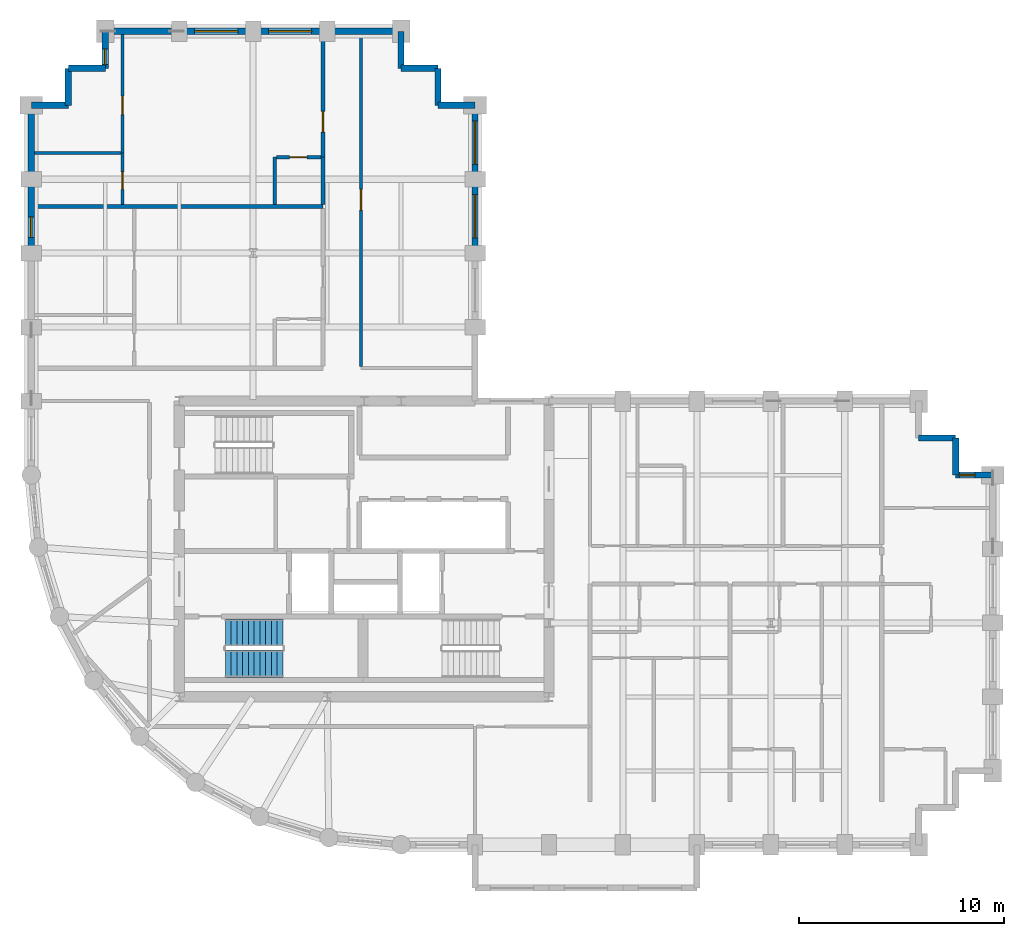
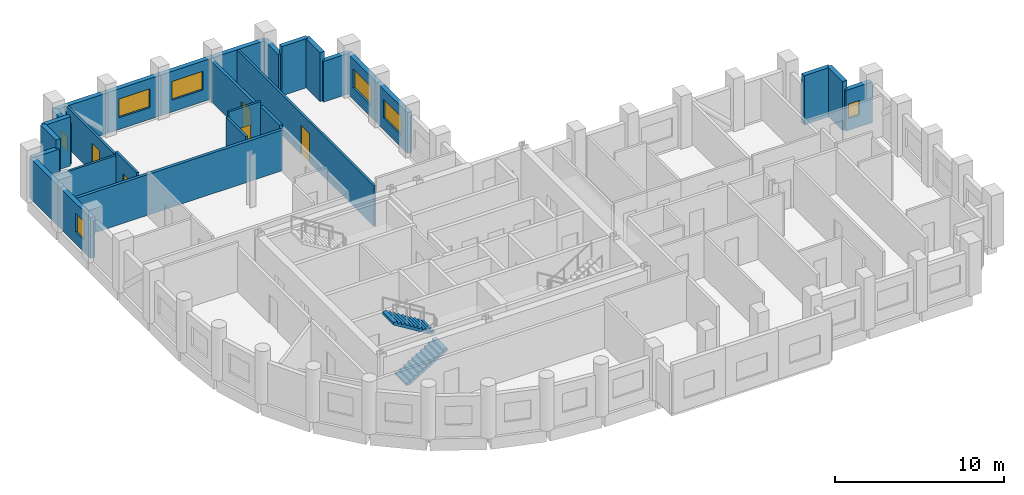
# One storey, part 7 of 9: 28 walls, 7 windows, 5 doors, 2 stair flights, 12 openings, 1 element without a shape of its own.
"""IFC4 building model written with IfcOpenShell, lengths in metres."""

from ifc_helpers import new_model, si_unit, direction, frame, frame_2d, origin, place, context, subcontext, project, spatial, polyline, rectangle, outline, extrude, material, layer, layer_set, type_object, element, fill, aggregate, save


model = new_model("IFC4")

# Units and contexts
model_context = context("Model", 3, precision=1e-05, world=origin(), true_north=direction((0.0, 1.0)))
body_context = subcontext(model_context, "Body", "Model", "MODEL_VIEW")
ifc_project = project(units=[si_unit("LENGTHUNIT", "METRE"), si_unit("AREAUNIT", "SQUARE_METRE"), si_unit("VOLUMEUNIT", "CUBIC_METRE"), si_unit("PLANEANGLEUNIT", "RADIAN"), si_unit("MASSUNIT", "GRAM", prefix="KILO")], contexts=[model_context])

# Site, building, storey
site_placement = place(None, origin())
site = spatial("IfcSite", under=ifc_project, at=site_placement, CompositionType="ELEMENT")
building_placement = place(site_placement, origin())
building = spatial("IfcBuilding", under=site, at=building_placement, Name="Solnavia Interchange Tower", CompositionType="ELEMENT")
storey_placement = place(building_placement, frame((0.0, 0.0, 139.0)))
storey = spatial("IfcBuildingStorey", under=building, at=storey_placement, Name="L34", CompositionType="ELEMENT", Elevation=139.0)

# Walls
ifc_material_1 = material(Name="Gypsum Acoustic Twin-Stud & Mineral Wool", Category="gypsum")
ifc_layer_1 = layer(ifc_material_1, 0.199951171875)
ifc_layer_set_1 = layer_set([ifc_layer_1], Name="Gypsum Acoustic Twin-Stud & Mineral Wool")
wall_type_1 = type_object("IfcWallType", Name="Wall-ApartmentParty-200", PredefinedType="PARTITIONING", material=ifc_layer_set_1)
wall_1_placement = place(storey_placement, frame((7.35400390625, 34.669921875, 0.0), z_axis=(0.0, 0.0, 1.0), x_axis=(1.0, 0.0, 0.0)))
element("IfcWall", 1, at=wall_1_placement, inside=storey, type_object=wall_type_1, Name="PTW-L34-45 Interior partition wall", PredefinedType="PARTITIONING", context=body_context, shape_type="SweptSolid", body=[
    extrude(rectangle(XDim=14.0458984375, YDim=0.199951171875, at=frame_2d((7.02294921875, 0.0))), origin(), (0.0, 0.0, 1.0), 2.929931640625),
])
wall_2_placement = place(storey_placement, frame((21.39990234375, 34.77392578125, 0.0), z_axis=(0.0, 0.0, 1.0), x_axis=(0.0, 1.0, 0.0)))
element("IfcWall", 2, at=wall_2_placement, inside=storey, type_object=wall_type_1, Name="PTW-L34-53 Interior partition wall", PredefinedType="PARTITIONING", context=body_context, shape_type="SweptSolid", body=[
    extrude(rectangle(XDim=2.296142578125, YDim=0.199951171875, at=frame_2d((1.14794921875, 0.0))), origin(), (0.0, 0.0, 1.0), 3.169921875),
])

# Wall, opening, door
wall_3_placement = place(storey_placement, frame((21.39990234375, 37.070068359375, 0.0), z_axis=(0.0, 0.0, 1.0), x_axis=(0.0, 1.0, 0.0)))
wall_3 = element("IfcWall", 3, at=wall_3_placement, inside=storey, type_object=wall_type_1, Name="PTW-L34-56 Interior partition wall", PredefinedType="PARTITIONING", context=body_context, shape_type="SweptSolid", body=[
    extrude(rectangle(XDim=5.975830078125, YDim=0.199951171875, at=frame_2d((2.98779296875, 0.0))), origin(), (0.0, 0.0, 1.0), 2.929931640625),
])
opening_1_placement = place(wall_3_placement, frame((1.22607421875, 0.0, 0.0)))
opening_1 = element("IfcOpeningElement", 4, at=opening_1_placement, cuts=wall_3, Name="Opening DR-06", PredefinedType="OPENING", context=body_context, shape_type="SweptSolid", body=[
    extrude(rectangle(XDim=1.0, YDim=2.10009765625, at=frame_2d((0.5, 1.050048828125))), frame((0.0, 0.10986328125, 0.0), z_axis=(0.0, -1.0, 0.0), x_axis=(1.0, 0.0, 0.0)), (0.0, 0.0, 1.0), 0.219970703125),
])
ifc_material_2 = material(Name="Engineered Timber Acoustic Fire Door", Category="wood")
door_type_1 = type_object("IfcDoorType", Name="Door-FlatEntry-1000x2100", OperationType="SINGLE_SWING_LEFT", PredefinedType="DOOR", material=ifc_material_2)
door_1_placement = place(opening_1_placement, origin())
door_1 = element("IfcDoor", 5, at=door_1_placement, inside=storey, type_object=door_type_1, Name="DR-L34-26 Interior room door", OperationType="SINGLE_SWING_LEFT", OverallHeight=2.10009765625, OverallWidth=1.0, PredefinedType="DOOR", context=body_context, shape_type="SweptSolid", body=[
    extrude(rectangle(XDim=1.0, YDim=2.10009765625, at=frame_2d((0.5, 1.050048828125))), frame((0.0, 0.02490234375, 0.0), z_axis=(0.0, -1.0, 0.0), x_axis=(1.0, 0.0, 0.0)), (0.0, 0.0, 1.0), 0.050048828125),
])
fill(opening_1, door_1)

# Wall, opening, window
ifc_material_3 = material(Name="Concrete C40/50", Category="concrete")
ifc_layer_2 = layer(ifc_material_3, 0.300048828125)
ifc_layer_set_2 = layer_set([ifc_layer_2], Name="Concrete C40/50")
wall_type_2 = type_object("IfcWallType", Name="Wall-ExtSpandrel-300", PredefinedType="STANDARD", material=ifc_layer_set_2)
wall_4_placement = place(storey_placement, frame((52.199951171875, 21.60009765625, 0.0), z_axis=(0.0, 0.0, 1.0), x_axis=(1.0, 0.0, 0.0)))
wall_4 = element("IfcWall", 6, at=wall_4_placement, inside=storey, type_object=wall_type_2, Name="EXW-L34-18 Exterior precast spandrel wall", PredefinedType="STANDARD", context=body_context, shape_type="SweptSolid", body=[
    extrude(rectangle(XDim=1.800048828125, YDim=0.300048828125, at=frame_2d((0.89990234375, 0.0))), origin(), (0.0, 0.0, 1.0), 2.929931640625),
])
opening_2_placement = place(wall_4_placement, frame((0.179931640625, 0.0, 0.85009765625)))
opening_2 = element("IfcOpeningElement", 7, at=opening_2_placement, cuts=wall_4, Name="Opening WIN-08", PredefinedType="OPENING", context=body_context, shape_type="SweptSolid", body=[
    extrude(rectangle(XDim=0.75, YDim=1.050048828125, at=frame_2d((0.375, 0.52490234375))), frame((0.0, 0.16015625, 0.0), z_axis=(0.0, -1.0, 0.0), x_axis=(1.0, 0.0, 0.0)), (0.0, 0.0, 1.0), 0.320068359375),
])
ifc_material_4 = material(Name="Thermal-Break Aluminium & Low-E Glass", Category="aluminium")
window_type_1 = type_object("IfcWindowType", Name="Window-Bedroom-750x1050", PartitioningType="SINGLE_PANEL", PredefinedType="WINDOW", material=ifc_material_4)
window_1_placement = place(opening_2_placement, origin())
window_1 = element("IfcWindow", 8, at=window_1_placement, inside=storey, type_object=window_type_1, Name="WIN-L34-DW01 Dwelling bedroom window", OverallHeight=1.050048828125, OverallWidth=0.75, PartitioningType="SINGLE_PANEL", PredefinedType="WINDOW", context=body_context, shape_type="SweptSolid", body=[
    extrude(rectangle(XDim=0.75, YDim=1.050048828125, at=frame_2d((0.375, 0.52490234375))), frame((0.0, 0.030029296875, 0.0), z_axis=(0.0, -1.0, 0.0), x_axis=(1.0, 0.0, 0.0)), (0.0, 0.0, 1.0), 0.06005859375),
])
fill(opening_2, window_1)

# Walls
wall_5_placement = place(storey_placement, frame((52.199951171875, 23.39990234375, 0.0), z_axis=(0.0, 0.0, 1.0), x_axis=(0.0, -1.0, 0.0)))
element("IfcWall", 9, at=wall_5_placement, inside=storey, type_object=wall_type_2, Name="EXW-L34-19 Exterior precast spandrel wall", PredefinedType="STANDARD", context=body_context, shape_type="SweptSolid", body=[
    extrude(rectangle(XDim=1.7998046875, YDim=0.300048828125, at=frame_2d((0.89990234375, 0.0))), origin(), (0.0, 0.0, 1.0), 3.534912109375),
])
wall_6_placement = place(storey_placement, frame((50.39990234375, 23.39990234375, 0.0), z_axis=(0.0, 0.0, 1.0), x_axis=(1.0, 0.0, 0.0)))
element("IfcWall", 10, at=wall_6_placement, inside=storey, type_object=wall_type_2, Name="EXW-L34-20 Exterior precast spandrel wall", PredefinedType="STANDARD", context=body_context, shape_type="SweptSolid", body=[
    extrude(rectangle(XDim=1.800048828125, YDim=0.300048828125, at=frame_2d((0.89990234375, 0.0))), origin(), (0.0, 0.0, 1.0), 3.534912109375),
])

# Wall, opening, window
wall_7_placement = place(storey_placement, frame((28.800048828125, 36.0, 0.0), z_axis=(0.0, 0.0, 1.0), x_axis=(0.0, -1.0, 0.0)))
wall_7 = element("IfcWall", 11, at=wall_7_placement, inside=storey, type_object=wall_type_2, Name="EXW-L34-30 Exterior precast spandrel wall", PredefinedType="STANDARD", context=body_context, shape_type="SweptSolid", body=[
    extrude(rectangle(XDim=3.60009765625, YDim=0.300048828125, at=frame_2d((1.800048828125, 0.0))), origin(), (0.0, 0.0, 1.0), 2.929931640625),
])
opening_3_placement = place(wall_7_placement, frame((0.75, 0.0, 0.85009765625)))
opening_3 = element("IfcOpeningElement", 12, at=opening_3_placement, cuts=wall_7, Name="Opening WIN-01", PredefinedType="OPENING", context=body_context, shape_type="SweptSolid", body=[
    extrude(rectangle(XDim=2.10009765625, YDim=1.35009765625, at=frame_2d((1.050048828125, 0.675048828125))), frame((0.0, 0.16015625, 0.0), z_axis=(0.0, -1.0, 0.0), x_axis=(1.0, 0.0, 0.0)), (0.0, 0.0, 1.0), 0.320068359375),
])
window_type_2 = type_object("IfcWindowType", Name="Window-Ribbon-2100x1350", PartitioningType="SINGLE_PANEL", PredefinedType="WINDOW", material=ifc_material_4)
window_2_placement = place(opening_3_placement, origin())
window_2 = element("IfcWindow", 13, at=window_2_placement, inside=storey, type_object=window_type_2, Name="WIN-L34-30 Facade ribbon window", OverallHeight=1.35009765625, OverallWidth=2.10009765625, PartitioningType="SINGLE_PANEL", PredefinedType="WINDOW", context=body_context, shape_type="SweptSolid", body=[
    extrude(rectangle(XDim=2.10009765625, YDim=1.35009765625, at=frame_2d((1.050048828125, 0.675048828125))), frame((0.0, 0.030029296875, 0.0), z_axis=(0.0, -1.0, 0.0), x_axis=(1.0, 0.0, 0.0)), (0.0, 0.0, 1.0), 0.06005859375),
])
fill(opening_3, window_2)

wall_8_placement = place(storey_placement, frame((28.800048828125, 39.60009765625, 0.0), z_axis=(0.0, 0.0, 1.0), x_axis=(0.0, -1.0, 0.0)))
wall_8 = element("IfcWall", 14, at=wall_8_placement, inside=storey, type_object=wall_type_2, Name="EXW-L34-31 Exterior precast spandrel wall", PredefinedType="STANDARD", context=body_context, shape_type="SweptSolid", body=[
    extrude(rectangle(XDim=3.60009765625, YDim=0.300048828125, at=frame_2d((1.800048828125, 0.0))), origin(), (0.0, 0.0, 1.0), 2.929931640625),
])
opening_4_placement = place(wall_8_placement, frame((0.77490234375, 0.0, 0.85009765625)))
opening_4 = element("IfcOpeningElement", 15, at=opening_4_placement, cuts=wall_8, Name="Opening WIN-01", PredefinedType="OPENING", context=body_context, shape_type="SweptSolid", body=[
    extrude(rectangle(XDim=2.10009765625, YDim=1.35009765625, at=frame_2d((1.050048828125, 0.675048828125))), frame((0.0, 0.16015625, 0.0), z_axis=(0.0, -1.0, 0.0), x_axis=(1.0, 0.0, 0.0)), (0.0, 0.0, 1.0), 0.320068359375),
])
window_3_placement = place(opening_4_placement, origin())
window_3 = element("IfcWindow", 16, at=window_3_placement, inside=storey, type_object=window_type_2, Name="WIN-L34-31 Facade ribbon window", OverallHeight=1.35009765625, OverallWidth=2.10009765625, PartitioningType="SINGLE_PANEL", PredefinedType="WINDOW", context=body_context, shape_type="SweptSolid", body=[
    extrude(rectangle(XDim=2.10009765625, YDim=1.35009765625, at=frame_2d((1.050048828125, 0.675048828125))), frame((0.0, 0.030029296875, 0.0), z_axis=(0.0, -1.0, 0.0), x_axis=(1.0, 0.0, 0.0)), (0.0, 0.0, 1.0), 0.06005859375),
])
fill(opening_4, window_3)

# Walls
wall_9_placement = place(storey_placement, frame((27.0, 39.60009765625, 0.0), z_axis=(0.0, 0.0, 1.0), x_axis=(1.0, 0.0, 0.0)))
element("IfcWall", 17, at=wall_9_placement, inside=storey, type_object=wall_type_2, Name="EXW-L34-32 Exterior precast spandrel wall", PredefinedType="STANDARD", context=body_context, shape_type="SweptSolid", body=[
    extrude(rectangle(XDim=1.800048828125, YDim=0.300048828125, at=frame_2d((0.89990234375, 0.0))), origin(), (0.0, 0.0, 1.0), 2.929931640625),
])
wall_10_placement = place(storey_placement, frame((27.0, 39.60009765625, 0.0), z_axis=(0.0, 0.0, 1.0), x_axis=(0.0, 1.0, 0.0)))
element("IfcWall", 18, at=wall_10_placement, inside=storey, type_object=wall_type_2, Name="EXW-L34-33 Exterior precast spandrel wall", PredefinedType="STANDARD", context=body_context, shape_type="SweptSolid", body=[
    extrude(rectangle(XDim=1.7998046875, YDim=0.300048828125, at=frame_2d((0.89990234375, 0.0))), origin(), (0.0, 0.0, 1.0), 3.534912109375),
])
wall_11_placement = place(storey_placement, frame((25.199951171875, 41.39990234375, 0.0), z_axis=(0.0, 0.0, 1.0), x_axis=(1.0, 0.0, 0.0)))
element("IfcWall", 19, at=wall_11_placement, inside=storey, type_object=wall_type_2, Name="EXW-L34-34 Exterior precast spandrel wall", PredefinedType="STANDARD", context=body_context, shape_type="SweptSolid", body=[
    extrude(rectangle(XDim=1.800048828125, YDim=0.300048828125, at=frame_2d((0.89990234375, 0.0))), origin(), (0.0, 0.0, 1.0), 3.534912109375),
])
wall_12_placement = place(storey_placement, frame((25.199951171875, 41.39990234375, 0.0), z_axis=(0.0, 0.0, 1.0), x_axis=(0.0, 1.0, 0.0)))
element("IfcWall", 20, at=wall_12_placement, inside=storey, type_object=wall_type_2, Name="EXW-L34-35 Exterior precast spandrel wall", PredefinedType="STANDARD", context=body_context, shape_type="SweptSolid", body=[
    extrude(rectangle(XDim=1.800048828125, YDim=0.300048828125, at=frame_2d((0.89990234375, 0.0))), origin(), (0.0, 0.0, 1.0), 2.929931640625),
])
wall_13_placement = place(storey_placement, frame((21.60009765625, 43.199951171875, 0.0), z_axis=(0.0, 0.0, 1.0), x_axis=(1.0, 0.0, 0.0)))
element("IfcWall", 21, at=wall_13_placement, inside=storey, type_object=wall_type_2, Name="EXW-L34-36 Exterior precast spandrel wall", PredefinedType="STANDARD", context=body_context, shape_type="SweptSolid", body=[
    extrude(rectangle(XDim=3.599853515625, YDim=0.300048828125, at=frame_2d((1.7998046875, 0.0))), origin(), (0.0, 0.0, 1.0), 2.929931640625),
])

# Wall, opening, window
wall_14_placement = place(storey_placement, frame((18.0, 43.199951171875, 0.0), z_axis=(0.0, 0.0, 1.0), x_axis=(1.0, 0.0, 0.0)))
wall_14 = element("IfcWall", 22, at=wall_14_placement, inside=storey, type_object=wall_type_2, Name="EXW-L34-37 Exterior precast spandrel wall", PredefinedType="STANDARD", context=body_context, shape_type="SweptSolid", body=[
    extrude(rectangle(XDim=3.60009765625, YDim=0.300048828125, at=frame_2d((1.800048828125, 0.0))), origin(), (0.0, 0.0, 1.0), 2.929931640625),
])
opening_5_placement = place(wall_14_placement, frame((0.75, 0.0, 0.85009765625)))
opening_5 = element("IfcOpeningElement", 23, at=opening_5_placement, cuts=wall_14, Name="Opening WIN-01", PredefinedType="OPENING", context=body_context, shape_type="SweptSolid", body=[
    extrude(rectangle(XDim=2.10009765625, YDim=1.35009765625, at=frame_2d((1.050048828125, 0.675048828125))), frame((0.0, 0.16015625, 0.0), z_axis=(0.0, -1.0, 0.0), x_axis=(1.0, 0.0, 0.0)), (0.0, 0.0, 1.0), 0.320068359375),
])
window_4_placement = place(opening_5_placement, origin())
window_4 = element("IfcWindow", 24, at=window_4_placement, inside=storey, type_object=window_type_2, Name="WIN-L34-37 Facade ribbon window", OverallHeight=1.35009765625, OverallWidth=2.10009765625, PartitioningType="SINGLE_PANEL", PredefinedType="WINDOW", context=body_context, shape_type="SweptSolid", body=[
    extrude(rectangle(XDim=2.10009765625, YDim=1.35009765625, at=frame_2d((1.050048828125, 0.675048828125))), frame((0.0, 0.030029296875, 0.0), z_axis=(0.0, -1.0, 0.0), x_axis=(1.0, 0.0, 0.0)), (0.0, 0.0, 1.0), 0.06005859375),
])
fill(opening_5, window_4)

wall_15_placement = place(storey_placement, frame((14.39990234375, 43.199951171875, 0.0), z_axis=(0.0, 0.0, 1.0), x_axis=(1.0, 0.0, 0.0)))
wall_15 = element("IfcWall", 25, at=wall_15_placement, inside=storey, type_object=wall_type_2, Name="EXW-L34-38 Exterior precast spandrel wall", PredefinedType="STANDARD", context=body_context, shape_type="SweptSolid", body=[
    extrude(rectangle(XDim=3.60009765625, YDim=0.300048828125, at=frame_2d((1.800048828125, 0.0))), origin(), (0.0, 0.0, 1.0), 2.929931640625),
])
opening_6_placement = place(wall_15_placement, frame((0.75, 0.0, 0.85009765625)))
opening_6 = element("IfcOpeningElement", 26, at=opening_6_placement, cuts=wall_15, Name="Opening WIN-01", PredefinedType="OPENING", context=body_context, shape_type="SweptSolid", body=[
    extrude(rectangle(XDim=2.10009765625, YDim=1.35009765625, at=frame_2d((1.050048828125, 0.675048828125))), frame((0.0, 0.16015625, 0.0), z_axis=(0.0, -1.0, 0.0), x_axis=(1.0, 0.0, 0.0)), (0.0, 0.0, 1.0), 0.320068359375),
])
window_5_placement = place(opening_6_placement, origin())
window_5 = element("IfcWindow", 27, at=window_5_placement, inside=storey, type_object=window_type_2, Name="WIN-L34-38 Facade ribbon window", OverallHeight=1.35009765625, OverallWidth=2.10009765625, PartitioningType="SINGLE_PANEL", PredefinedType="WINDOW", context=body_context, shape_type="SweptSolid", body=[
    extrude(rectangle(XDim=2.10009765625, YDim=1.35009765625, at=frame_2d((1.050048828125, 0.675048828125))), frame((0.0, 0.030029296875, 0.0), z_axis=(0.0, -1.0, 0.0), x_axis=(1.0, 0.0, 0.0)), (0.0, 0.0, 1.0), 0.06005859375),
])
fill(opening_6, window_5)

# Wall
wall_16_placement = place(storey_placement, frame((10.800048828125, 43.199951171875, 0.0), z_axis=(0.0, 0.0, 1.0), x_axis=(1.0, 0.0, 0.0)))
element("IfcWall", 28, at=wall_16_placement, inside=storey, type_object=wall_type_2, Name="EXW-L34-39 Exterior precast spandrel wall", PredefinedType="STANDARD", context=body_context, shape_type="SweptSolid", body=[
    extrude(rectangle(XDim=3.599853515625, YDim=0.300048828125, at=frame_2d((1.7998046875, 0.0))), origin(), (0.0, 0.0, 1.0), 2.929931640625),
])

# Wall, opening, window
wall_17_placement = place(storey_placement, frame((10.800048828125, 41.39990234375, 0.0), z_axis=(0.0, 0.0, 1.0), x_axis=(0.0, 1.0, 0.0)))
wall_17 = element("IfcWall", 29, at=wall_17_placement, inside=storey, type_object=wall_type_2, Name="EXW-L34-40 Exterior precast spandrel wall", PredefinedType="STANDARD", context=body_context, shape_type="SweptSolid", body=[
    extrude(rectangle(XDim=1.800048828125, YDim=0.300048828125, at=frame_2d((0.89990234375, 0.0))), origin(), (0.0, 0.0, 1.0), 2.929931640625),
])
opening_7_placement = place(wall_17_placement, frame((0.179931640625, 0.0, 0.85009765625)))
opening_7 = element("IfcOpeningElement", 30, at=opening_7_placement, cuts=wall_17, Name="Opening WIN-08", PredefinedType="OPENING", context=body_context, shape_type="SweptSolid", body=[
    extrude(rectangle(XDim=0.75, YDim=1.050048828125, at=frame_2d((0.375, 0.52490234375))), frame((0.0, 0.16015625, 0.0), z_axis=(0.0, -1.0, 0.0), x_axis=(1.0, 0.0, 0.0)), (0.0, 0.0, 1.0), 0.320068359375),
])
window_6_placement = place(opening_7_placement, origin())
window_6 = element("IfcWindow", 31, at=window_6_placement, inside=storey, type_object=window_type_1, Name="WIN-L34-DW03 Dwelling bedroom window", OverallHeight=1.050048828125, OverallWidth=0.75, PartitioningType="SINGLE_PANEL", PredefinedType="WINDOW", context=body_context, shape_type="SweptSolid", body=[
    extrude(rectangle(XDim=0.75, YDim=1.050048828125, at=frame_2d((0.375, 0.52490234375))), frame((0.0, 0.030029296875, 0.0), z_axis=(0.0, -1.0, 0.0), x_axis=(1.0, 0.0, 0.0)), (0.0, 0.0, 1.0), 0.06005859375),
])
fill(opening_7, window_6)

# Walls
wall_18_placement = place(storey_placement, frame((9.0, 41.39990234375, 0.0), z_axis=(0.0, 0.0, 1.0), x_axis=(1.0, 0.0, 0.0)))
element("IfcWall", 32, at=wall_18_placement, inside=storey, type_object=wall_type_2, Name="EXW-L34-41 Exterior precast spandrel wall", PredefinedType="STANDARD", context=body_context, shape_type="SweptSolid", body=[
    extrude(rectangle(XDim=1.800048828125, YDim=0.300048828125, at=frame_2d((0.89990234375, 0.0))), origin(), (0.0, 0.0, 1.0), 3.534912109375),
])
wall_19_placement = place(storey_placement, frame((9.0, 39.60009765625, 0.0), z_axis=(0.0, 0.0, 1.0), x_axis=(0.0, 1.0, 0.0)))
element("IfcWall", 33, at=wall_19_placement, inside=storey, type_object=wall_type_2, Name="EXW-L34-42 Exterior precast spandrel wall", PredefinedType="STANDARD", context=body_context, shape_type="SweptSolid", body=[
    extrude(rectangle(XDim=1.7998046875, YDim=0.300048828125, at=frame_2d((0.89990234375, 0.0))), origin(), (0.0, 0.0, 1.0), 3.534912109375),
])
wall_20_placement = place(storey_placement, frame((7.199951171875, 39.60009765625, 0.0), z_axis=(0.0, 0.0, 1.0), x_axis=(1.0, 0.0, 0.0)))
element("IfcWall", 34, at=wall_20_placement, inside=storey, type_object=wall_type_2, Name="EXW-L34-43 Exterior precast spandrel wall", PredefinedType="STANDARD", context=body_context, shape_type="SweptSolid", body=[
    extrude(rectangle(XDim=1.800048828125, YDim=0.300048828125, at=frame_2d((0.89990234375, 0.0))), origin(), (0.0, 0.0, 1.0), 2.929931640625),
])
wall_21_placement = place(storey_placement, frame((7.199951171875, 36.0, 0.0), z_axis=(0.0, 0.0, 1.0), x_axis=(0.0, 1.0, 0.0)))
element("IfcWall", 35, at=wall_21_placement, inside=storey, type_object=wall_type_2, Name="EXW-L34-44 Exterior precast spandrel wall", PredefinedType="STANDARD", context=body_context, shape_type="SweptSolid", body=[
    extrude(rectangle(XDim=3.60009765625, YDim=0.300048828125, at=frame_2d((1.800048828125, 0.0))), origin(), (0.0, 0.0, 1.0), 2.929931640625),
])

# Wall, opening, window
wall_22_placement = place(storey_placement, frame((7.199951171875, 32.39990234375, 0.0), z_axis=(0.0, 0.0, 1.0), x_axis=(0.0, 1.0, 0.0)))
wall_22 = element("IfcWall", 36, at=wall_22_placement, inside=storey, type_object=wall_type_2, Name="EXW-L34-45 Exterior precast spandrel wall", PredefinedType="STANDARD", context=body_context, shape_type="SweptSolid", body=[
    extrude(rectangle(XDim=3.60009765625, YDim=0.300048828125, at=frame_2d((1.800048828125, 0.0))), origin(), (0.0, 0.0, 1.0), 2.929931640625),
])
opening_8_placement = place(wall_22_placement, frame((0.76904296875, 0.0, 0.85009765625)))
opening_8 = element("IfcOpeningElement", 37, at=opening_8_placement, cuts=wall_22, Name="Opening WIN-07", PredefinedType="OPENING", context=body_context, shape_type="SweptSolid", body=[
    extrude(rectangle(XDim=1.0, YDim=1.35009765625, at=frame_2d((0.5, 0.675048828125))), frame((0.0, 0.16015625, 0.0), z_axis=(0.0, -1.0, 0.0), x_axis=(1.0, 0.0, 0.0)), (0.0, 0.0, 1.0), 0.320068359375),
])
window_type_3 = type_object("IfcWindowType", Name="Window-Bedroom-1000x1350", PartitioningType="SINGLE_PANEL", PredefinedType="WINDOW", material=ifc_material_4)
window_7_placement = place(opening_8_placement, origin())
window_7 = element("IfcWindow", 38, at=window_7_placement, inside=storey, type_object=window_type_3, Name="WIN-L34-DW02 Dwelling bedroom window", OverallHeight=1.35009765625, OverallWidth=1.0, PartitioningType="SINGLE_PANEL", PredefinedType="WINDOW", context=body_context, shape_type="SweptSolid", body=[
    extrude(rectangle(XDim=1.0, YDim=1.35009765625, at=frame_2d((0.5, 0.675048828125))), frame((0.0, 0.030029296875, 0.0), z_axis=(0.0, -1.0, 0.0), x_axis=(1.0, 0.0, 0.0)), (0.0, 0.0, 1.0), 0.06005859375),
])
fill(opening_8, window_7)

# Wall, opening, door
ifc_material_5 = material(Name="Gypsum Plasterboard & Steel Stud", Category="steel")
ifc_layer_3 = layer(ifc_material_5, 0.14990234375)
ifc_layer_set_3 = layer_set([ifc_layer_3], Name="Gypsum Plasterboard & Steel Stud")
wall_type_3 = type_object("IfcWallType", Name="Wall-Partition-150", PredefinedType="PARTITIONING", material=ifc_layer_set_3)
wall_23_placement = place(storey_placement, frame((11.639892578125, 37.27001953125, 0.0), z_axis=(0.0, 0.0, 1.0), x_axis=(0.0, 1.0, 0.0)))
wall_23 = element("IfcWall", 39, at=wall_23_placement, inside=storey, type_object=wall_type_3, Name="PTW-L34-57 Interior partition wall", PredefinedType="PARTITIONING", context=body_context, shape_type="SweptSolid", body=[
    extrude(rectangle(XDim=5.77587890625, YDim=0.14990234375, at=frame_2d((2.887939453125, 0.0))), origin(), (0.0, 0.0, 1.0), 2.929931640625),
])
opening_9_placement = place(wall_23_placement, frame((1.8759765625, 0.0, 0.0)))
opening_9 = element("IfcOpeningElement", 40, at=opening_9_placement, cuts=wall_23, Name="Opening DR-09", PredefinedType="OPENING", context=body_context, shape_type="SweptSolid", body=[
    extrude(rectangle(XDim=0.89990234375, YDim=2.10009765625, at=frame_2d((0.449951171875, 1.050048828125))), frame((0.0, 0.0849609375, 0.0), z_axis=(0.0, -1.0, 0.0), x_axis=(1.0, 0.0, 0.0)), (0.0, 0.0, 1.0), 0.169921875),
])
ifc_material_6 = material(Name="Engineered Oak Veneer Door", Category="wood")
door_type_2 = type_object("IfcDoorType", Name="Door-Internal-900x2100", OperationType="SINGLE_SWING_LEFT", PredefinedType="DOOR", material=ifc_material_6)
door_2_placement = place(opening_9_placement, origin())
door_2 = element("IfcDoor", 41, at=door_2_placement, inside=storey, type_object=door_type_2, Name="DR-L34-27 Interior room door", OperationType="SINGLE_SWING_LEFT", OverallHeight=2.10009765625, OverallWidth=0.89990234375, PredefinedType="DOOR", context=body_context, shape_type="SweptSolid", body=[
    extrude(rectangle(XDim=0.89990234375, YDim=2.10009765625, at=frame_2d((0.449951171875, 1.050048828125))), frame((0.0, 0.02490234375, 0.0), z_axis=(0.0, -1.0, 0.0), x_axis=(1.0, 0.0, 0.0)), (0.0, 0.0, 1.0), 0.050048828125),
])
fill(opening_9, door_2)

wall_24_placement = place(storey_placement, frame((23.25, 26.87890625, 0.0), z_axis=(0.0, 0.0, 1.0), x_axis=(0.0, 1.0, 0.0)))
wall_24 = element("IfcWall", 42, at=wall_24_placement, inside=storey, type_object=wall_type_3, Name="PTW-L34-61 Interior partition wall", PredefinedType="PARTITIONING", context=body_context, shape_type="SweptSolid", body=[
    extrude(rectangle(XDim=16.1669921875, YDim=0.14990234375, at=frame_2d((8.08349609375, 0.0))), origin(), (0.0, 0.0, 1.0), 2.929931640625),
])
opening_10_placement = place(wall_24_placement, frame((7.62109375, 0.0, 0.0)))
opening_10 = element("IfcOpeningElement", 43, at=opening_10_placement, cuts=wall_24, Name="Opening DR-07", PredefinedType="OPENING", context=body_context, shape_type="SweptSolid", body=[
    extrude(rectangle(XDim=1.0, YDim=2.10009765625, at=frame_2d((0.5, 1.050048828125))), frame((0.0, 0.0849609375, 0.0), z_axis=(0.0, -1.0, 0.0), x_axis=(1.0, 0.0, 0.0)), (0.0, 0.0, 1.0), 0.169921875),
])
ifc_material_7 = material(Name="Timber & Acoustic Glazed Office Door", Category="wood")
door_type_3 = type_object("IfcDoorType", Name="Door-Office-1000x2100", OperationType="SINGLE_SWING_RIGHT", PredefinedType="DOOR", material=ifc_material_7)
door_3_placement = place(opening_10_placement, origin())
door_3 = element("IfcDoor", 44, at=door_3_placement, inside=storey, type_object=door_type_3, Name="DR-L34-29 Interior room door", OperationType="SINGLE_SWING_LEFT", OverallHeight=2.10009765625, OverallWidth=1.0, PredefinedType="DOOR", context=body_context, shape_type="SweptSolid", body=[
    extrude(rectangle(XDim=1.0, YDim=2.10009765625, at=frame_2d((0.5, 1.050048828125))), frame((0.0, 0.02490234375, 0.0), z_axis=(0.0, -1.0, 0.0), x_axis=(1.0, 0.0, 0.0)), (0.0, 0.0, 1.0), 0.050048828125),
])
fill(opening_10, door_3)

# Wall
ifc_material_8 = material(Name="Moisture-Resistant Gypsum & Steel Stud", Category="steel")
ifc_layer_4 = layer(ifc_material_8, 0.14990234375)
ifc_layer_set_4 = layer_set([ifc_layer_4], Name="Moisture-Resistant Gypsum & Steel Stud")
wall_type_4 = type_object("IfcWallType", Name="Wall-WetRoom-150", PredefinedType="PARTITIONING", material=ifc_layer_set_4)
wall_25_placement = place(storey_placement, frame((19.050048828125, 34.77392578125, 0.0), z_axis=(0.0, 0.0, 1.0), x_axis=(0.0, 1.0, 0.0)))
element("IfcWall", 45, at=wall_25_placement, inside=storey, type_object=wall_type_4, Name="PTW-L34-54 Interior partition wall", PredefinedType="PARTITIONING", context=body_context, shape_type="SweptSolid", body=[
    extrude(rectangle(XDim=2.296142578125, YDim=0.14990234375, at=frame_2d((1.14794921875, 0.0))), origin(), (0.0, 0.0, 1.0), 3.169921875),
])

# Wall, opening, door
wall_26_placement = place(storey_placement, frame((19.12890625, 37.070068359375, 0.0), z_axis=(0.0, 0.0, 1.0), x_axis=(1.0, 0.0, 0.0)))
wall_26 = element("IfcWall", 46, at=wall_26_placement, inside=storey, type_object=wall_type_4, Name="PTW-L34-55 Interior partition wall", PredefinedType="PARTITIONING", context=body_context, shape_type="SweptSolid", body=[
    extrude(rectangle(XDim=2.1669921875, YDim=0.14990234375, at=frame_2d((1.08349609375, 0.0))), origin(), (0.0, 0.0, 1.0), 3.534912109375),
])
opening_11_placement = place(wall_26_placement, frame((0.64111328125, 0.0, 0.0)))
opening_11 = element("IfcOpeningElement", 47, at=opening_11_placement, cuts=wall_26, Name="Opening DR-10", PredefinedType="OPENING", context=body_context, shape_type="SweptSolid", body=[
    extrude(rectangle(XDim=0.85009765625, YDim=2.10009765625, at=frame_2d((0.425048828125, 1.050048828125))), frame((0.0, 0.0849609375, 0.0), z_axis=(0.0, -1.0, 0.0), x_axis=(1.0, 0.0, 0.0)), (0.0, 0.0, 1.0), 0.169921875),
])
ifc_material_9 = material(Name="Moisture-Resistant Timber Door", Category="wood")
door_type_4 = type_object("IfcDoorType", Name="Door-Bathroom-850x2100", OperationType="SINGLE_SWING_RIGHT", PredefinedType="DOOR", material=ifc_material_9)
door_4_placement = place(opening_11_placement, origin())
door_4 = element("IfcDoor", 48, at=door_4_placement, inside=storey, type_object=door_type_4, Name="DR-L34-25 Interior room door", OperationType="SINGLE_SWING_RIGHT", OverallHeight=2.10009765625, OverallWidth=0.85009765625, PredefinedType="DOOR", context=body_context, shape_type="SweptSolid", body=[
    extrude(rectangle(XDim=0.85009765625, YDim=2.10009765625, at=frame_2d((0.425048828125, 1.050048828125))), frame((0.0, 0.02490234375, 0.0), z_axis=(0.0, -1.0, 0.0), x_axis=(1.0, 0.0, 0.0)), (0.0, 0.0, 1.0), 0.050048828125),
])
fill(opening_11, door_4)

wall_27_placement = place(storey_placement, frame((11.639892578125, 34.77392578125, 0.0), z_axis=(0.0, 0.0, 1.0), x_axis=(0.0, 1.0, 0.0)))
wall_27 = element("IfcWall", 49, at=wall_27_placement, inside=storey, type_object=wall_type_4, Name="PTW-L34-58 Interior partition wall", PredefinedType="PARTITIONING", context=body_context, shape_type="SweptSolid", body=[
    extrude(rectangle(XDim=2.49609375, YDim=0.14990234375, at=frame_2d((1.248046875, 0.0))), origin(), (0.0, 0.0, 1.0), 3.169921875),
])
opening_12_placement = place(wall_27_placement, frame((0.73095703125, 0.0, 0.0)))
opening_12 = element("IfcOpeningElement", 50, at=opening_12_placement, cuts=wall_27, Name="Opening DR-10", PredefinedType="OPENING", context=body_context, shape_type="SweptSolid", body=[
    extrude(rectangle(XDim=0.85009765625, YDim=2.10009765625, at=frame_2d((0.425048828125, 1.050048828125))), frame((0.0, 0.0849609375, 0.0), z_axis=(0.0, -1.0, 0.0), x_axis=(1.0, 0.0, 0.0)), (0.0, 0.0, 1.0), 0.169921875),
])
door_5_placement = place(opening_12_placement, origin())
door_5 = element("IfcDoor", 51, at=door_5_placement, inside=storey, type_object=door_type_4, Name="DR-L34-28 Interior room door", OperationType="SINGLE_SWING_RIGHT", OverallHeight=2.10009765625, OverallWidth=0.85009765625, PredefinedType="DOOR", context=body_context, shape_type="SweptSolid", body=[
    extrude(rectangle(XDim=0.85009765625, YDim=2.10009765625, at=frame_2d((0.425048828125, 1.050048828125))), frame((0.0, 0.02490234375, 0.0), z_axis=(0.0, -1.0, 0.0), x_axis=(1.0, 0.0, 0.0)), (0.0, 0.0, 1.0), 0.050048828125),
])
fill(opening_12, door_5)

# Wall
wall_28_placement = place(storey_placement, frame((7.35400390625, 37.27001953125, 0.0), z_axis=(0.0, 0.0, 1.0), x_axis=(1.0, 0.0, 0.0)))
element("IfcWall", 52, at=wall_28_placement, inside=storey, type_object=wall_type_4, Name="PTW-L34-59 Interior partition wall", PredefinedType="PARTITIONING", context=body_context, shape_type="SweptSolid", body=[
    extrude(rectangle(XDim=4.20703125, YDim=0.14990234375, at=frame_2d((2.103515625, 0.0))), origin(), (0.0, 0.0, 1.0), 2.929931640625),
])

# Stair, stair flights
stair_type = type_object("IfcStairType", Name="Stair-Dogleg-RC", PredefinedType="HALF_TURN_STAIR", material=ifc_material_3)
stair_placement = place(storey_placement, origin())
stair = element("IfcStair", 53, at=stair_placement, inside=storey, type_object=stair_type, Name="L34 Core exit stair 1", PredefinedType="HALF_TURN_STAIR")
stair_flight_type = type_object("IfcStairFlightType", Name="StairFlight-RC-150", PredefinedType="STRAIGHT", material=ifc_material_3)
stair_flight_1_placement = place(storey_placement, frame((16.64990234375, 12.409912109375, 0.0), z_axis=(0.0, 0.0, 1.0), x_axis=(1.0, 0.0, 0.0)))
stair_flight_1 = element("IfcStairFlight", 54, at=stair_flight_1_placement, type_object=stair_flight_type, Name="ST-1 flight 1", NumberOfRisers=11, NumberOfTreads=10, PredefinedType="STRAIGHT", RiserHeight=0.172727273, TreadLength=0.28, context=body_context, shape_type="SweptSolid", body=[
    extrude(outline(polyline([(0.0, 0.0), (0.0, 0.172607421875), (0.280029296875, 0.172607421875), (0.280029296875, 0.345458984375), (0.56005859375, 0.345458984375), (0.56005859375, 0.51806640625), (0.840087890625, 0.51806640625), (0.840087890625, 0.69091796875), (1.1201171875, 0.69091796875), (1.1201171875, 0.863525390625), (1.39990234375, 0.863525390625), (1.39990234375, 1.036376953125), (1.679931640625, 1.036376953125), (1.679931640625, 1.208984375), (1.9599609375, 1.208984375), (1.9599609375, 1.3818359375), (2.239990234375, 1.3818359375), (2.239990234375, 1.554443359375), (2.52001953125, 1.554443359375), (2.52001953125, 1.727294921875), (2.800048828125, 1.727294921875), (2.800048828125, 1.89990234375), (2.800048828125, 1.551025390625), (0.285400390625, 0.0), (0.0, 0.0)])), frame((0.0, 0.66015625, 0.0), z_axis=(0.0, -1.0, 0.0), x_axis=(1.0, 0.0, 0.0)), (0.0, 0.0, 1.0), 1.320068359375),
])
stair_flight_2_placement = place(storey_placement, frame((19.449951171875, 13.929931640625, 1.89990234375), z_axis=(0.0, 0.0, 1.0), x_axis=(-1.0, 0.0, 0.0)))
stair_flight_2 = element("IfcStairFlight", 55, at=stair_flight_2_placement, type_object=stair_flight_type, Name="ST-1 flight 2", NumberOfRisers=11, NumberOfTreads=10, PredefinedType="STRAIGHT", RiserHeight=0.172727273, TreadLength=0.28, context=body_context, shape_type="SweptSolid", body=[
    extrude(outline(polyline([(0.0, 0.0), (0.0, 0.172607421875), (0.280029296875, 0.172607421875), (0.280029296875, 0.345458984375), (0.56005859375, 0.345458984375), (0.56005859375, 0.51806640625), (0.840087890625, 0.51806640625), (0.840087890625, 0.69091796875), (1.1201171875, 0.69091796875), (1.1201171875, 0.863525390625), (1.39990234375, 0.863525390625), (1.39990234375, 1.036376953125), (1.679931640625, 1.036376953125), (1.679931640625, 1.208984375), (1.9599609375, 1.208984375), (1.9599609375, 1.3818359375), (2.239990234375, 1.3818359375), (2.239990234375, 1.554443359375), (2.52001953125, 1.554443359375), (2.52001953125, 1.727294921875), (2.800048828125, 1.727294921875), (2.800048828125, 1.89990234375), (2.800048828125, 1.551025390625), (0.285400390625, 0.0), (0.0, 0.0)])), frame((0.0, 0.66015625, 0.0), z_axis=(0.0, -1.0, 0.0), x_axis=(1.0, 0.0, 0.0)), (0.0, 0.0, 1.0), 1.320068359375),
])
aggregate(stair, [stair_flight_1, stair_flight_2])

save(model, "model.ifc")
